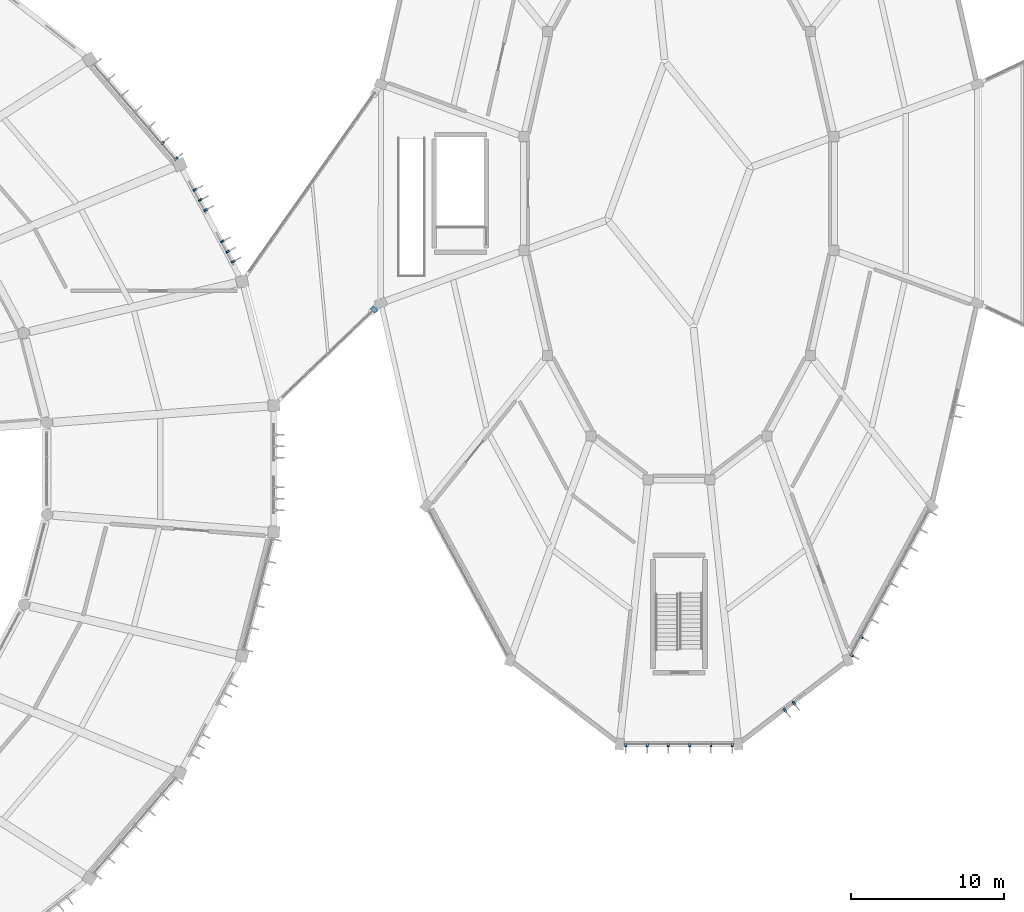
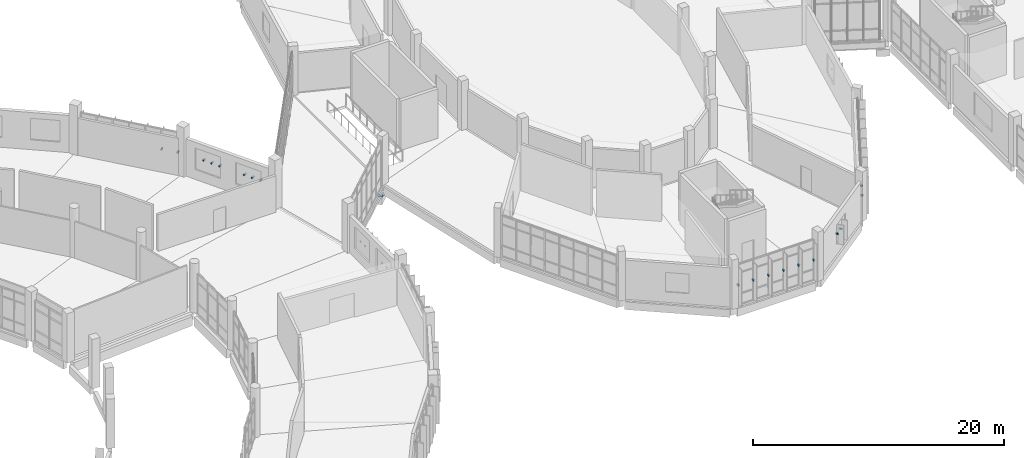
# One storey, part 142 of 179: 19 discrete accessories.
"""IFC4 building model written with IfcOpenShell, lengths in metres."""

from ifc_helpers import new_model, si_unit, direction, frame, origin, origin_2d, place, context, subcontext, project, spatial, rectangle, extrude, material, type_object, element, save


model = new_model("IFC4")

# Units and contexts
model_context = context("Model", 3, precision=1e-05, world=origin(), true_north=direction((0.0, 1.0)))
body_context = subcontext(model_context, "Body", "Model", "MODEL_VIEW")
ifc_project = project(units=[si_unit("LENGTHUNIT", "METRE"), si_unit("AREAUNIT", "SQUARE_METRE"), si_unit("VOLUMEUNIT", "CUBIC_METRE"), si_unit("PLANEANGLEUNIT", "RADIAN"), si_unit("MASSUNIT", "GRAM", prefix="KILO")], contexts=[model_context])

# Site, building, storey
site_placement = place(None, origin())
site = spatial("IfcSite", under=ifc_project, at=site_placement, CompositionType="ELEMENT")
building_placement = place(site_placement, origin())
building = spatial("IfcBuilding", under=site, at=building_placement, Name="Corvandel Quay Wholesale Market", CompositionType="ELEMENT")
storey_placement = place(building_placement, frame((0.0, 0.0, 6.0)))
storey = spatial("IfcBuildingStorey", under=building, at=storey_placement, Name="L01", CompositionType="ELEMENT", Elevation=6.0)

# Discrete accessories
ifc_material_1 = material(Name="Austenitic stainless steel Grade 316", Category="steel")
discrete_accessory_type_1 = type_object("IfcDiscreteAccessoryType", Name="Stainless Solar Fin Fixing Bracket BRK01", PredefinedType="USERDEFINED", material=ifc_material_1)
for number, where, z_axis, x_axis, name in (
    (1, (165.345703125, 55.55126953125, 1.93017578125), (0.0, 0.0, 1.0), (0.882619624736, 0.470087862033, 0.0), "Fin Bracket 0007"),
    (2, (164.9931640625, 56.21337890625, 1.93017578125), (0.0, 0.0, 1.0), (0.882619624736, 0.470087862033, 0.0), "Fin Bracket 0008"),
    (3, (164.640380859375, 56.875244140625, 1.93017578125), (0.0, 0.0, 1.0), (0.882619624736, 0.470087862033, 0.0), "Fin Bracket 0009"),
    (4, (163.5498046875, 58.9228515625, 1.93017578125), (0.0, 0.0, 1.0), (0.882619624736, 0.470087862033, 0.0), "Fin Bracket 0010"),
    (5, (163.197265625, 59.584716796875, 1.93017578125), (0.0, 0.0, 1.0), (0.882619624736, 0.470087862033, 0.0), "Fin Bracket 0011"),
    (6, (162.8447265625, 60.24658203125, 1.93017578125), (0.0, 0.0, 1.0), (0.882619624736, 0.470087862033, 0.0), "Fin Bracket 0012"),
):
    element("IfcDiscreteAccessory", number, at=place(storey_placement, frame(where, z_axis=z_axis, x_axis=x_axis)), inside=storey, type_object=discrete_accessory_type_1, Name=name, ObjectType="BRACKET", PredefinedType="USERDEFINED", context=body_context, shape_type="SweptSolid", body=[
        extrude(rectangle(XDim=0.280029296875, YDim=0.1201171875, at=origin_2d()), origin(), (0.0, 0.0, 1.0), 0.139892578125),
    ])
for number, where, z_axis, x_axis, name in (
    (7, (161.606201171875, 62.2744140625, 1.9052734375), (0.0, 0.0, 1.0), (0.758589401976, 0.651568967347, 0.0), "Fin Bracket 0019"),
    (8, (160.71923828125, 63.30712890625, 1.9052734375), (0.0, 0.0, 1.0), (0.758589401976, 0.651568967347, 0.0), "Fin Bracket 0020"),
    (9, (191.02099609375, 23.93994140625, 1.9052734375), (0.0, 0.0, 1.0), (0.0, 1.0, 0.0), "Fin Bracket 0631"),
    (10, (192.41259765625, 23.93994140625, 1.9052734375), (0.0, 0.0, 1.0), (0.0, 1.0, 0.0), "Fin Bracket 0632"),
    (11, (193.80419921875, 23.93994140625, 1.9052734375), (0.0, 0.0, 1.0), (0.0, 1.0, 0.0), "Fin Bracket 0633"),
    (12, (195.19580078125, 23.93994140625, 1.9052734375), (0.0, 0.0, 1.0), (0.0, 1.0, 0.0), "Fin Bracket 0634"),
    (13, (196.58740234375, 23.93994140625, 1.9052734375), (0.0, 0.0, 1.0), (0.0, 1.0, 0.0), "Fin Bracket 0635"),
    (14, (197.97900390625, 23.93994140625, 1.9052734375), (0.0, 0.0, 1.0), (0.0, 1.0, 0.0), "Fin Bracket 0636"),
):
    element("IfcDiscreteAccessory", number, at=place(storey_placement, frame(where, z_axis=z_axis, x_axis=x_axis)), inside=storey, type_object=discrete_accessory_type_1, Name=name, ObjectType="BRACKET", PredefinedType="USERDEFINED", context=body_context, shape_type="SweptSolid", body=[
        extrude(rectangle(XDim=0.239990234375, YDim=0.1201171875, at=origin_2d()), origin(), (0.0, 0.0, 1.0), 0.139892578125),
    ])
for number, where, z_axis, x_axis, name in (
    (15, (201.42724609375, 26.205322265625, 1.8798828125), (0.0, 0.0, 1.0), (-0.607514481979, 0.794308601354, 0.0), "Fin Bracket 0646"),
    (16, (202.02294921875, 26.660888671875, 1.8798828125), (0.0, 0.0, 1.0), (-0.607514481979, 0.794308601354, 0.0), "Fin Bracket 0647"),
):
    element("IfcDiscreteAccessory", number, at=place(storey_placement, frame(where, z_axis=z_axis, x_axis=x_axis)), inside=storey, type_object=discrete_accessory_type_1, Name=name, ObjectType="BRACKET", PredefinedType="USERDEFINED", context=body_context, shape_type="SweptSolid", body=[
        extrude(rectangle(XDim=0.280029296875, YDim=0.1201171875, at=origin_2d()), origin(), (0.0, 0.0, 1.0), 0.139892578125),
    ])
for number, where, z_axis, x_axis, name in (
    (17, (205.789306640625, 29.80419921875, 1.9052734375), (0.0, 0.0, 1.0), (-0.879316310191, 0.476238203668, 0.0), "Fin Bracket 0653"),
    (18, (206.42724609375, 30.982177734375, 1.9052734375), (0.0, 0.0, 1.0), (-0.879316310191, 0.476238203668, 0.0), "Fin Bracket 0654"),
):
    element("IfcDiscreteAccessory", number, at=place(storey_placement, frame(where, z_axis=z_axis, x_axis=x_axis)), inside=storey, type_object=discrete_accessory_type_1, Name=name, ObjectType="BRACKET", PredefinedType="USERDEFINED", context=body_context, shape_type="SweptSolid", body=[
        extrude(rectangle(XDim=0.239990234375, YDim=0.1201171875, at=origin_2d()), origin(), (0.0, 0.0, 1.0), 0.139892578125),
    ])
ifc_material_2 = material(Name="PTFE elastomeric bearing assembly")
discrete_accessory_type_2 = type_object("IfcDiscreteAccessoryType", Name="Unguided Bi-Directional PTFE Sliding Bearing SBG01", PredefinedType="USERDEFINED", material=ifc_material_2)
discrete_accessory_placement = place(storey_placement, frame((174.555908203125, 52.413818359375, -0.8720703125), z_axis=(0.0, 0.0, 1.0), x_axis=(0.72236396206, 0.691513055782, 0.0)))
element("IfcDiscreteAccessory", 19, at=discrete_accessory_placement, inside=storey, type_object=discrete_accessory_type_2, Name="PTFE Sliding Bearing SBG-013", ObjectType="SLIDING BEARING", PredefinedType="USERDEFINED", context=body_context, shape_type="SweptSolid", body=[
    extrude(rectangle(XDim=0.300048828125, YDim=0.39990234375, at=origin_2d()), origin(), (0.0, 0.0, 1.0), 0.0400390625),
])

save(model, "model.ifc")
